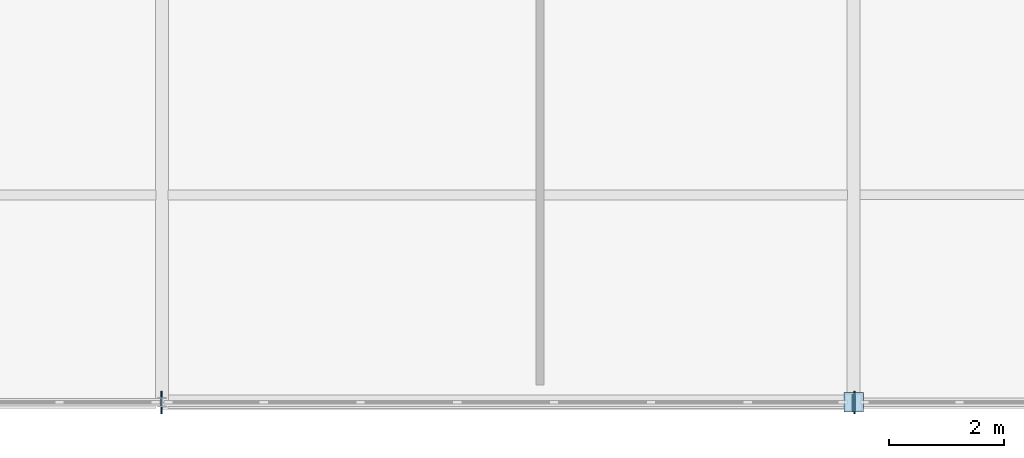
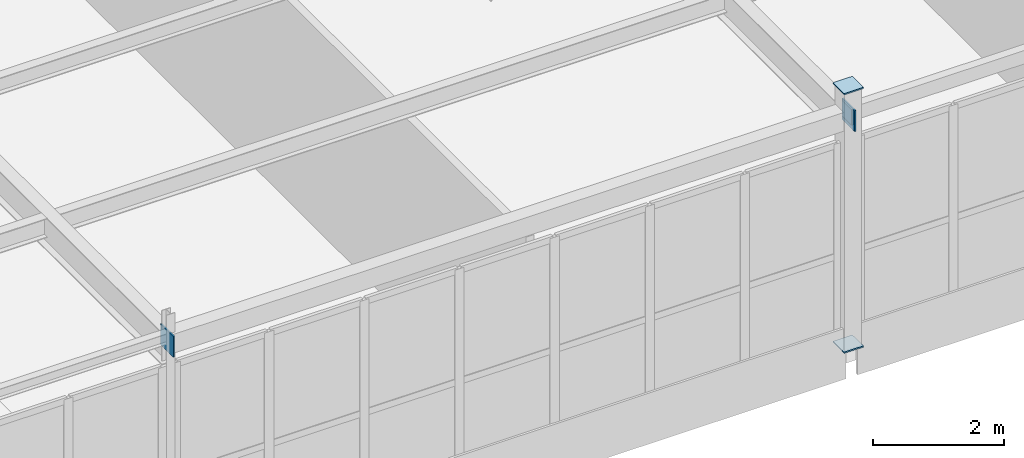
# One storey, part 146 of 186: 5 plates.
"""IFC4 building model written with IfcOpenShell, lengths in metres."""

from ifc_helpers import new_model, si_unit, direction, frame, origin, origin_2d, place, context, subcontext, project, spatial, rectangle, extrude, material, layer, layer_set, type_object, element, save


model = new_model("IFC4")

# Units and contexts
model_context = context("Model", 3, precision=1e-05, world=origin(), true_north=direction((0.0, 1.0)))
body_context = subcontext(model_context, "Body", "Model", "MODEL_VIEW")
ifc_project = project(units=[si_unit("LENGTHUNIT", "METRE"), si_unit("AREAUNIT", "SQUARE_METRE"), si_unit("VOLUMEUNIT", "CUBIC_METRE"), si_unit("PLANEANGLEUNIT", "RADIAN"), si_unit("MASSUNIT", "GRAM", prefix="KILO")], contexts=[model_context])

# Site, building, storey
site_placement = place(None, origin())
site = spatial("IfcSite", under=ifc_project, at=site_placement, CompositionType="ELEMENT")
building_placement = place(site_placement, origin())
building = spatial("IfcBuilding", under=site, at=building_placement, Name="Tarnwether General Hospital", CompositionType="ELEMENT")
storey_placement = place(building_placement, frame((0.0, 0.0, 9.60009765625)))
storey = spatial("IfcBuildingStorey", under=building, at=storey_placement, Name="L02", CompositionType="ELEMENT", Elevation=9.60009765625)

# Plates
ifc_material = material(Name="Steel Grade 350 (350 MPa)", Category="steel")
ifc_layer = layer(ifc_material, 0.02490234375)
ifc_layer_set = layer_set([ifc_layer], Name="Steel Grade 350 (350 MPa)")
plate_type = type_object("IfcPlateType", Name="PT-GUS2", PredefinedType="USERDEFINED", material=ifc_layer_set)
for number, where, z_axis, x_axis, name in (
    (1, (180.0, 0.0, -0.025146484375), (0.0, 0.0, 1.0), (1.0, 0.0, 0.0), "Hollow Section Welded End Cap Plate 0381"),
    (2, (180.0, 0.0, 4.800048828125), (0.0, 0.0, 1.0), (1.0, 0.0, 0.0), "Hollow Section Welded End Cap Plate 0382"),
):
    element("IfcPlate", number, at=place(storey_placement, frame(where, z_axis=z_axis, x_axis=x_axis)), inside=storey, type_object=plate_type, Name=name, ObjectType="GUSSET", PredefinedType="USERDEFINED", context=body_context, shape_type="SweptSolid", body=[
        extrude(rectangle(XDim=0.340087890625, YDim=0.340087890625, at=origin_2d()), origin(), (0.0, 0.0, 1.0), 0.02490234375),
    ])
for number, where, z_axis, x_axis, name in (
    (3, (167.987548828125, 0.0, 4.06982421875), (0.0, 0.0, 1.0), (1.0, 0.0, 0.0), "Hollow Section Welded End Cap Plate 0969"),
    (4, (180.012451171875, 0.0, 4.06982421875), (0.0, 0.0, 1.0), (1.0, 0.0, 0.0), "Hollow Section Welded End Cap Plate 0970"),
):
    element("IfcPlate", number, at=place(storey_placement, frame(where, z_axis=z_axis, x_axis=x_axis)), inside=storey, type_object=plate_type, Name=name, ObjectType="GUSSET", PredefinedType="USERDEFINED", context=body_context, shape_type="SweptSolid", body=[
        extrude(rectangle(XDim=0.02490234375, YDim=0.389892578125, at=origin_2d()), origin(), (0.0, 0.0, 1.0), 0.389892578125),
    ])
plate_placement = place(storey_placement, frame((179.987548828125, 0.0, 4.169921875), z_axis=(0.0, 0.0, 1.0), x_axis=(1.0, 0.0, 0.0)))
element("IfcPlate", 5, at=plate_placement, inside=storey, type_object=plate_type, Name="Hollow Section Welded End Cap Plate 0971", ObjectType="GUSSET", PredefinedType="USERDEFINED", context=body_context, shape_type="SweptSolid", body=[
    extrude(rectangle(XDim=0.02490234375, YDim=0.2900390625, at=origin_2d()), origin(), (0.0, 0.0, 1.0), 0.2900390625),
])

save(model, "model.ifc")
